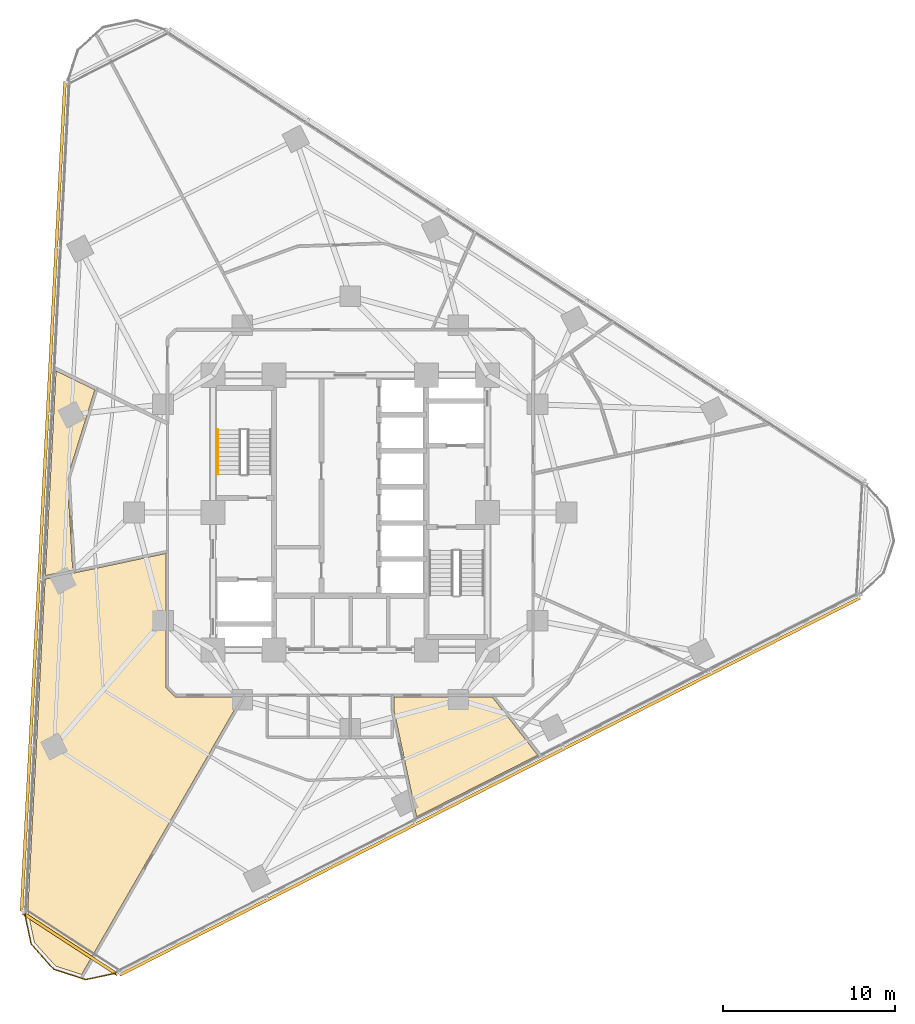
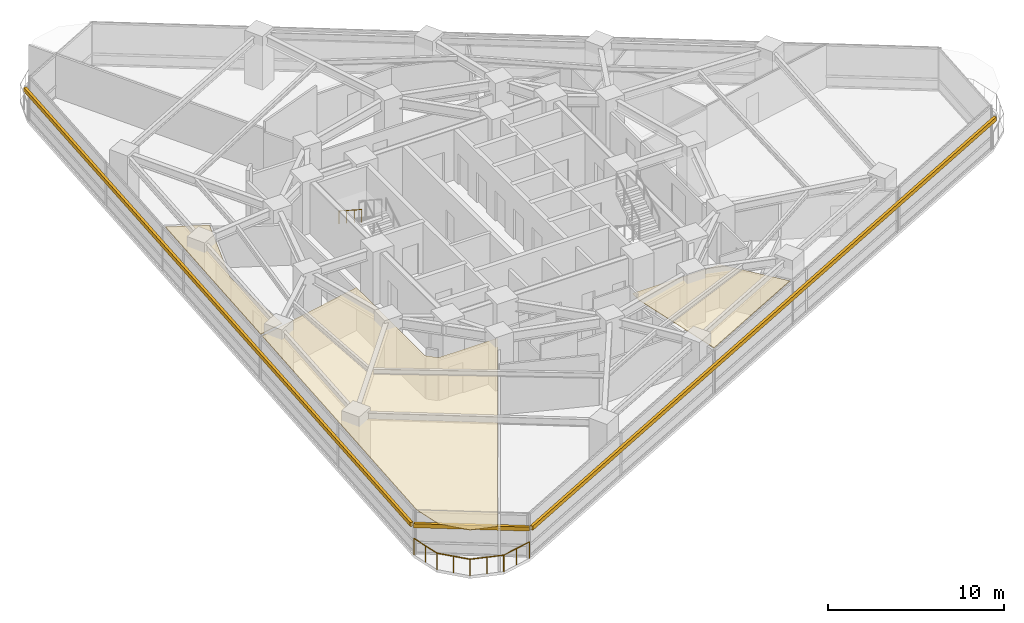
# One storey, part 12 of 14: 3 coverings, 3 shading devices, 2 railings.
"""IFC4 building model written with IfcOpenShell, lengths in metres."""

from ifc_helpers import new_model, si_unit, direction, frame, origin, origin_2d, place, context, subcontext, project, spatial, polyline, rectangle, circle, outline, extrude, material, layer, layer_set, type_object, element, save


model = new_model("IFC4")

# Units and contexts
model_context = context("Model", 3, precision=1e-05, world=origin(), true_north=direction((0.0, 1.0)))
body_context = subcontext(model_context, "Body", "Model", "MODEL_VIEW")
ifc_project = project(units=[si_unit("LENGTHUNIT", "METRE"), si_unit("AREAUNIT", "SQUARE_METRE"), si_unit("VOLUMEUNIT", "CUBIC_METRE"), si_unit("PLANEANGLEUNIT", "RADIAN"), si_unit("MASSUNIT", "GRAM", prefix="KILO")], contexts=[model_context])

# Site, building, storey
site_placement = place(None, origin())
site = spatial("IfcSite", under=ifc_project, at=site_placement, CompositionType="ELEMENT")
building_placement = place(site_placement, origin())
building = spatial("IfcBuilding", under=site, at=building_placement, Name="Terralouvre Media Tower", CompositionType="ELEMENT")
storey_placement = place(building_placement, frame((0.0, 0.0, 142.10009765625)))
storey = spatial("IfcBuildingStorey", under=building, at=storey_placement, Name="L36", CompositionType="ELEMENT", Elevation=142.10009765625)

# Coverings
ifc_material_1 = material(Name="Perforated aluminium acoustic ceiling baffle", Category="aluminium")
ifc_layer_1 = layer(ifc_material_1, 0.0400390625, Name="Perforated Acoustic Metal Tile Ceiling CL-AC1")
ifc_layer_set_1 = layer_set([ifc_layer_1], Name="Perforated aluminium acoustic ceiling baffle")
covering_type = type_object("IfcCoveringType", Name="Perforated Acoustic Metal Tile Ceiling CL-AC1", PredefinedType="CEILING", material=ifc_layer_set_1)
covering_1_placement = place(storey_placement, frame((0.0, 0.0, 2.97998046875), z_axis=(0.0, 0.0, 1.0), x_axis=(0.891006524188, 0.45399049974, 0.0)))
element("IfcCovering", 1, at=covering_1_placement, inside=storey, type_object=covering_type, Name="L36 Graphics Desk Office 1 Acoustic Ceiling", PredefinedType="CEILING", context=body_context, shape_type="SweptSolid", body=[
    extrude(outline(polyline([(-10.513427734375, -6.7080078125), (-13.924072265625, -4.97021484375), (-13.9326171875, -4.96533203125), (-13.940673828125, -4.959716796875), (-13.947998046875, -4.953369140625), (-13.954833984375, -4.946044921875), (-13.960693359375, -4.9384765625), (-13.966064453125, -4.929931640625), (-13.97021484375, -4.92138671875), (-13.973876953125, -4.912109375), (-14.1923828125, -4.239501953125), (-14.19482421875, -4.230224609375), (-14.196533203125, -4.220458984375), (-14.197265625, -4.210693359375), (-14.197021484375, -4.200927734375), (-14.195556640625, -4.191162109375), (-14.193603515625, -4.181640625), (-14.1904296875, -4.17236328125), (-14.186279296875, -4.163330078125), (-10.662109375, 2.753173828125), (-15.894287109375, 4.155029296875), (-17.603271484375, 4.61376953125), (-27.285400390625, -12.15673828125), (-27.771728515625, -13.9716796875), (-27.293212890625, -15.7578125), (-26.17333984375, -16.878173828125), (-13.241455078125, -8.479736328125), (-10.513427734375, -6.7080078125)])), origin(), (0.0, 0.0, 1.0), 0.0400390625),
])
covering_2_placement = place(storey_placement, frame((0.0, 0.0, 2.97998046875), z_axis=(0.0, 0.0, 1.0), x_axis=(0.891006524188, 0.45399049974, 0.0)))
element("IfcCovering", 2, at=covering_2_placement, inside=storey, type_object=covering_type, Name="L36 Breaking Desk Editorial Office 4 Acoustic Ceiling", PredefinedType="CEILING", context=body_context, shape_type="SweptSolid", body=[
    extrude(outline(polyline([(2.490234375, -13.333740234375), (-2.6083984375, -10.736083984375), (-2.955810546875, -11.41796875), (-3.97314453125, -15.213623046875), (-4.599853515625, -17.551513671875), (3.31005859375, -17.5517578125), (2.9638671875, -15.772216796875), (2.490234375, -13.333740234375)])), origin(), (0.0, 0.0, 1.0), 0.0400390625),
])
covering_3_placement = place(storey_placement, frame((0.0, 0.0, 2.97998046875), z_axis=(0.0, 0.0, 1.0), x_axis=(0.891006524188, 0.45399049974, 0.0)))
element("IfcCovering", 3, at=covering_3_placement, inside=storey, type_object=covering_type, Name="L36 Wire Copy Workspace 14 Acoustic Ceiling", PredefinedType="CEILING", context=body_context, shape_type="SweptSolid", body=[
    extrude(outline(polyline([(-13.7705078125, 9.26708984375), (-13.7666015625, 9.275146484375), (-13.761962890625, 9.28271484375), (-13.756591796875, 9.2900390625), (-13.750732421875, 9.296630859375), (-10.017578125, 13.12841796875), (-11.530029296875, 15.134033203125), (-17.499755859375, 4.79296875), (-15.92529296875, 4.370361328125), (-13.7705078125, 9.26708984375)])), origin(), (0.0, 0.0, 1.0), 0.0400390625),
])

# Railings
ifc_material_2 = material(Name="Stainless steel 316 handrail and balustrade", Category="steel")
ifc_layer_2 = layer(ifc_material_2, 0.06005859375, Name="Roof Edge Safety Guardrail GR-ROOF1")
ifc_layer_set_2 = layer_set([ifc_layer_2], Name="Stainless steel 316 handrail and balustrade")
railing_type_1 = type_object("IfcRailingType", Name="Roof Edge Safety Guardrail GR-ROOF1", PredefinedType="GUARDRAIL", material=ifc_layer_set_2)
railing_1_placement = place(storey_placement, frame((-19.004638671875, -23.22509765625, 0.0)))
element("IfcRailing", 4, at=railing_1_placement, inside=storey, type_object=railing_type_1, Name="L36 Wind-Corner Perimeter Safety Guardrail C0", PredefinedType="GUARDRAIL", context=body_context, shape_type="SweptSolid", body=[
    extrude(circle(Radius=0.02099609375, at=origin_2d()), frame((0.0, 0.0, 1.12890625), z_axis=(0.20770581411, -0.978191338535, 0.0), x_axis=(0.978191338535, 0.20770581411, 0.0)), (0.0, 0.0, 1.0), 1.966552734375),
    extrude(circle(Radius=0.02099609375, at=origin_2d()), frame((0.408447265625, -1.923583984375, 1.12890625), z_axis=(0.669067634628, -0.743201520648, 0.0), x_axis=(0.743201520648, 0.669067634628, 0.0)), (0.0, 0.0, 1.0), 1.966064453125),
    extrude(circle(Radius=0.02099609375, at=origin_2d()), frame((1.723876953125, -3.384765625, 1.12890625), z_axis=(0.951088800654, -0.308917615669, 0.0), x_axis=(0.308917615669, 0.951088800654, 0.0)), (0.0, 0.0, 1.0), 1.96630859375),
    extrude(circle(Radius=0.02099609375, at=origin_2d()), frame((3.593994140625, -3.9921875, 1.12890625), z_axis=(0.978110230454, 0.208087426535, 0.0), x_axis=(-0.208087426535, 0.978110230454, 0.0)), (0.0, 0.0, 1.0), 1.96630859375),
    extrude(circle(Radius=0.01904296875, at=origin_2d()), origin(), (0.0, 0.0, 1.0), 1.10791015625),
    extrude(circle(Radius=0.01904296875, at=origin_2d()), frame((0.2041015625, -0.9619140625, 0.0)), (0.0, 0.0, 1.0), 1.10791015625),
    extrude(circle(Radius=0.01904296875, at=origin_2d()), frame((0.408447265625, -1.923583984375, 0.0)), (0.0, 0.0, 1.0), 1.10791015625),
    extrude(circle(Radius=0.01904296875, at=origin_2d()), frame((1.066162109375, -2.654296875, 0.0)), (0.0, 0.0, 1.0), 1.10791015625),
    extrude(circle(Radius=0.01904296875, at=origin_2d()), frame((1.723876953125, -3.384765625, 0.0)), (0.0, 0.0, 1.0), 1.10791015625),
    extrude(circle(Radius=0.01904296875, at=origin_2d()), frame((2.658935546875, -3.6884765625, 0.0)), (0.0, 0.0, 1.0), 1.10791015625),
    extrude(circle(Radius=0.01904296875, at=origin_2d()), frame((3.593994140625, -3.9921875, 0.0)), (0.0, 0.0, 1.0), 1.10791015625),
    extrude(circle(Radius=0.01904296875, at=origin_2d()), frame((4.5556640625, -3.78759765625, 0.0)), (0.0, 0.0, 1.0), 1.10791015625),
    extrude(circle(Radius=0.01904296875, at=origin_2d()), frame((5.517333984375, -3.5830078125, 0.0)), (0.0, 0.0, 1.0), 1.10791015625),
])
ifc_material_3 = material(Name="Stainless steel 316 handrail and balustrade", Category="steel")
ifc_layer_3 = layer(ifc_material_3, 0.050048828125, Name="Stair Flight Wall Handrail HR-INT1")
ifc_layer_set_3 = layer_set([ifc_layer_3], Name="Stainless steel 316 handrail and balustrade")
railing_type_2 = type_object("IfcRailingType", Name="Stair Flight Wall Handrail HR-INT1", PredefinedType="HANDRAIL", material=ifc_layer_set_3)
railing_2_placement = place(storey_placement, frame((-7.72998046875, 4.820068359375, 2.01806640625)))
element("IfcRailing", 5, at=railing_2_placement, inside=storey, type_object=railing_type_2, Name="L36 ST-01 stair handrail 2", PredefinedType="HANDRAIL", context=body_context, shape_type="SweptSolid", body=[
    extrude(circle(Radius=0.02392578125, at=origin_2d()), frame((0.0, 0.0, 0.8759765625), z_axis=(0.0, -0.839648411786, 0.543130320075), x_axis=(1.0, 0.0, 0.0)), (0.0, 0.0, 1.0), 3.0966796875),
    extrude(circle(Radius=0.02099609375, at=origin_2d()), origin(), (0.0, 0.0, 1.0), 0.851806640625),
    extrude(circle(Radius=0.02099609375, at=origin_2d()), frame((0.0, -0.86669921875, 0.560546875)), (0.0, 0.0, 1.0), 0.851806640625),
    extrude(circle(Radius=0.02099609375, at=origin_2d()), frame((0.0, -1.7333984375, 1.121337890625)), (0.0, 0.0, 1.0), 0.851806640625),
    extrude(circle(Radius=0.02099609375, at=origin_2d()), frame((0.0, -2.60009765625, 1.681884765625)), (0.0, 0.0, 1.0), 0.851806640625),
])

# Shading devices
ifc_material_4 = material(Name="Extruded terracotta baguette sunshade louvres", Category="masonry")
shading_device_type = type_object("IfcShadingDeviceType", Name="Terracotta Baguette Sunshade Louvre Screen TB-LV1", PredefinedType="USERDEFINED", material=ifc_material_4)
for number, where, z_axis, x_axis, name in (
    (6, (8.1318359375, -15.959716796875, 2.02392578125), (0.0, 0.0, 1.0), (0.891006501178, 0.4539905449, 0.0), "CW-L36-F0 Terracotta Baguette Sunshade Louvre"),
    (7, (-17.887451171875, 0.9375, 2.02392578125), (0.0, 0.0, 1.0), (-0.052335949864, -0.998629535089, 0.0), "CW-L36-F2 Terracotta Baguette Sunshade Louvre"),
):
    element("IfcShadingDevice", number, at=place(storey_placement, frame(where, z_axis=z_axis, x_axis=x_axis)), inside=storey, type_object=shading_device_type, Name=name, ObjectType="BAGUETTE", PredefinedType="USERDEFINED", context=body_context, shape_type="SweptSolid", body=[
        extrude(rectangle(XDim=48.39990234375, YDim=0.179931640625, at=origin_2d()), origin(), (0.0, 0.0, 1.0), 0.280029296875),
    ])
shading_device_placement = place(storey_placement, frame((-16.3193359375, -25.129638671875, 2.02392578125), z_axis=(0.0, 0.0, 1.0), x_axis=(0.838670390568, -0.544639308152, 0.0)))
element("IfcShadingDevice", 8, at=shading_device_placement, inside=storey, type_object=shading_device_type, Name="CW-L36-C0 Terracotta Baguette Sunshade Louvre", ObjectType="BAGUETTE", PredefinedType="USERDEFINED", context=body_context, shape_type="SweptSolid", body=[
    extrude(rectangle(XDim=6.581787109375, YDim=0.179931640625, at=origin_2d()), origin(), (0.0, 0.0, 1.0), 0.280029296875),
])

save(model, "model.ifc")
